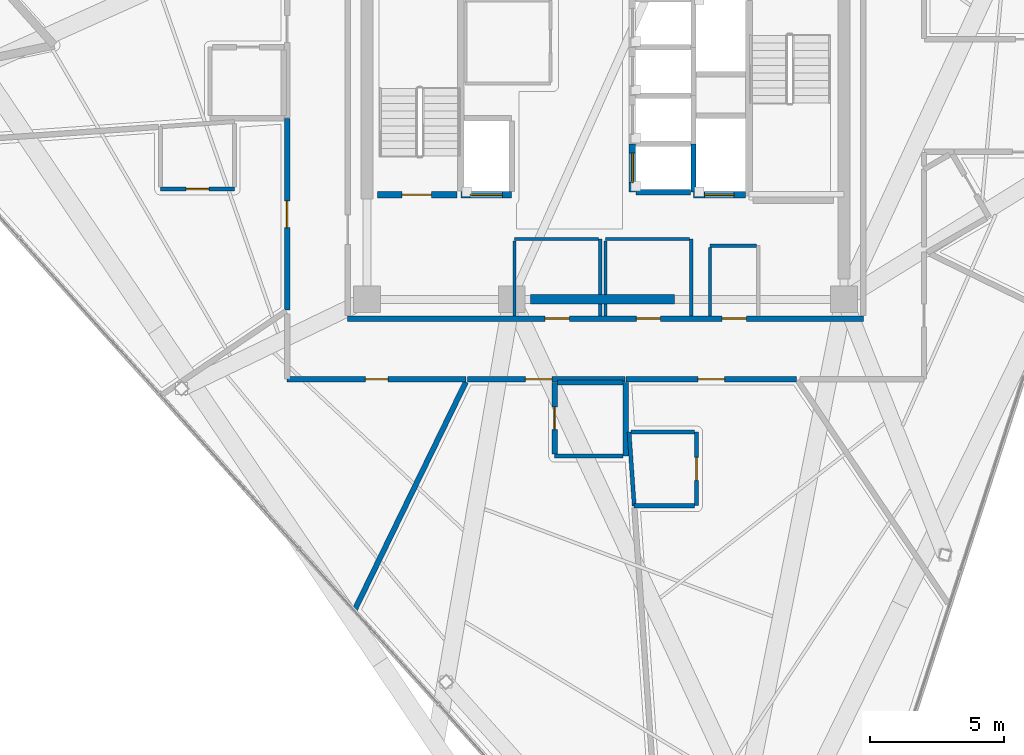
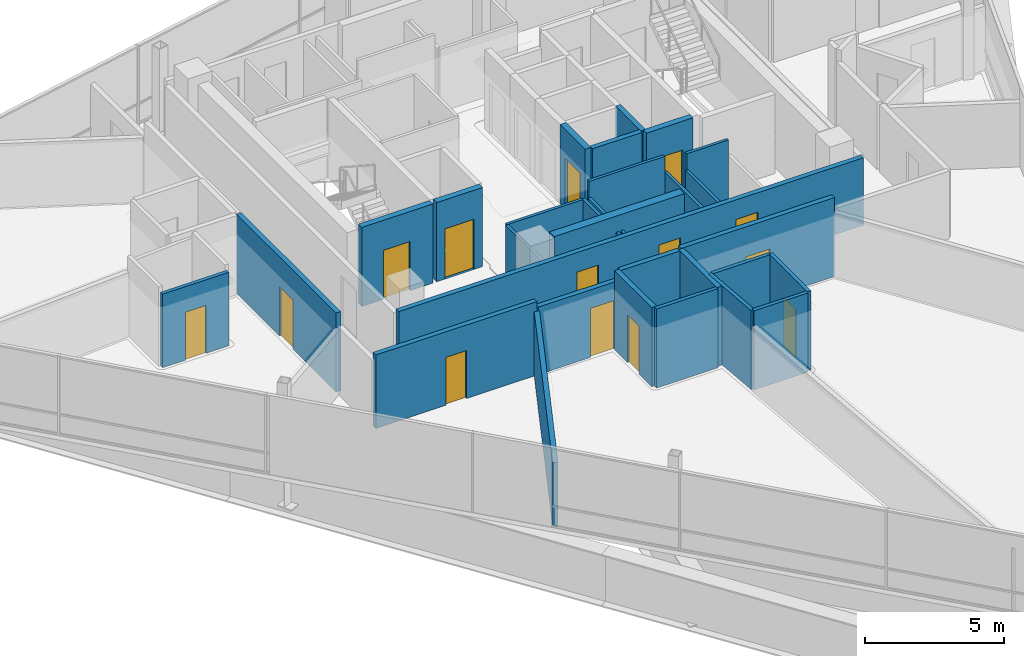
# One storey, part 10 of 18: 32 walls, 14 doors, 14 openings.
"""IFC4 building model written with IfcOpenShell, lengths in metres."""

from ifc_helpers import new_model, si_unit, direction, frame, frame_2d, origin, place, context, subcontext, project, spatial, rectangle, extrude, material, layer, layer_set, type_object, element, fill, save


model = new_model("IFC4")

# Units and contexts
model_context = context("Model", 3, precision=1e-05, world=origin(), true_north=direction((0.0, 1.0)))
body_context = subcontext(model_context, "Body", "Model", "MODEL_VIEW")
ifc_project = project(units=[si_unit("LENGTHUNIT", "METRE"), si_unit("AREAUNIT", "SQUARE_METRE"), si_unit("VOLUMEUNIT", "CUBIC_METRE"), si_unit("PLANEANGLEUNIT", "RADIAN"), si_unit("MASSUNIT", "GRAM", prefix="KILO")], contexts=[model_context])

# Site, building, storey
site_placement = place(None, origin())
site = spatial("IfcSite", under=ifc_project, at=site_placement, CompositionType="ELEMENT")
building_placement = place(site_placement, origin())
building = spatial("IfcBuilding", under=site, at=building_placement, Name="Tharavind Bronze Gate", CompositionType="ELEMENT")
storey_placement = place(building_placement, frame((0.0, 0.0, 279.75)))
storey = spatial("IfcBuildingStorey", under=building, at=storey_placement, Name="L72", CompositionType="ELEMENT", Elevation=279.75)

# Wall, openings, doors
ifc_material_1 = material(Name="Aerated Concrete Block", Category="concrete")
ifc_layer_1 = layer(ifc_material_1, 0.199951171875)
ifc_layer_set_1 = layer_set([ifc_layer_1], Name="Aerated Concrete Block")
wall_type_1 = type_object("IfcWallType", Name="FIRE RATED PARTITION 200", PredefinedType="PARTITIONING", material=ifc_layer_set_1)
wall_1_placement = place(storey_placement, frame((-9.6201171875, -8.320068359375, 0.0), z_axis=(0.0, 0.0, 1.0), x_axis=(1.0, 0.0, 0.0)))
wall_1 = element("IfcWall", 1, at=wall_1_placement, inside=storey, type_object=wall_type_1, Name="L72 south core corridor wall", PredefinedType="PARTITIONING", context=body_context, shape_type="SweptSolid", body=[
    extrude(rectangle(XDim=19.240234375, YDim=0.199951171875, at=frame_2d((9.6201171875, 0.0))), origin(), (0.0, 0.0, 1.0), 2.9599609375),
])
opening_1_placement = place(wall_1_placement, frame((7.3701171875, 0.0, 0.0)))
opening_1 = element("IfcOpeningElement", 2, at=opening_1_placement, cuts=wall_1, Name="Opening ID07", PredefinedType="OPENING", context=body_context, shape_type="SweptSolid", body=[
    extrude(rectangle(XDim=0.89990234375, YDim=2.10009765625, at=frame_2d((0.449951171875, 1.050048828125))), frame((0.0, 0.11009765625, 0.0), z_axis=(0.0, -1.0, 0.0), x_axis=(1.0, 0.0, 0.0)), (0.0, 0.0, 1.0), 0.219951171875),
])
opening_2_placement = place(wall_1_placement, frame((10.77001953125, 0.0, 0.0)))
opening_2 = element("IfcOpeningElement", 3, at=opening_2_placement, cuts=wall_1, Name="Opening ID07", PredefinedType="OPENING", context=body_context, shape_type="SweptSolid", body=[
    extrude(rectangle(XDim=0.89990234375, YDim=2.10009765625, at=frame_2d((0.449951171875, 1.050048828125))), frame((0.0, 0.11009765625, 0.0), z_axis=(0.0, -1.0, 0.0), x_axis=(1.0, 0.0, 0.0)), (0.0, 0.0, 1.0), 0.219951171875),
])
opening_3_placement = place(wall_1_placement, frame((13.969970703125, 0.0, 0.0)))
opening_3 = element("IfcOpeningElement", 4, at=opening_3_placement, cuts=wall_1, Name="Opening ID07", PredefinedType="OPENING", context=body_context, shape_type="SweptSolid", body=[
    extrude(rectangle(XDim=0.89990234375, YDim=2.10009765625, at=frame_2d((0.449951171875, 1.050048828125))), frame((0.0, 0.11009765625, 0.0), z_axis=(0.0, -1.0, 0.0), x_axis=(1.0, 0.0, 0.0)), (0.0, 0.0, 1.0), 0.219951171875),
])
ifc_material_2 = material(Name="Galvanised Fire Steel", Category="steel")
door_type_1 = type_object("IfcDoorType", Name="PLANT AND RISER FIRE DOOR 900X2100", OperationType="SINGLE_SWING_LEFT", PredefinedType="DOOR", material=ifc_material_2)
door_1_placement = place(opening_1_placement, frame((0.89990234375, 0.0, 0.0), z_axis=(0.0, 0.0, 1.0), x_axis=(-1.0, 0.0, 0.0)))
door_1 = element("IfcDoor", 5, at=door_1_placement, inside=storey, type_object=door_type_1, Name="L72 Core Archive Store fire door", OperationType="SINGLE_SWING_LEFT", OverallHeight=2.10009765625, OverallWidth=0.89990234375, PredefinedType="DOOR", context=body_context, shape_type="SweptSolid", body=[
    extrude(rectangle(XDim=0.89990234375, YDim=2.10009765625, at=frame_2d((0.449951171875, 1.050048828125))), frame((0.0, 0.02490234375, 0.0), z_axis=(0.0, -1.0, 0.0), x_axis=(1.0, 0.0, 0.0)), (0.0, 0.0, 1.0), 0.050048828125),
])
fill(opening_1, door_1)
door_2_placement = place(opening_2_placement, frame((0.89990234375, 0.0, 0.0), z_axis=(0.0, 0.0, 1.0), x_axis=(-1.0, 0.0, 0.0)))
door_2 = element("IfcDoor", 6, at=door_2_placement, inside=storey, type_object=door_type_1, Name="L72 Core Server Room fire door", OperationType="SINGLE_SWING_LEFT", OverallHeight=2.10009765625, OverallWidth=0.89990234375, PredefinedType="DOOR", context=body_context, shape_type="SweptSolid", body=[
    extrude(rectangle(XDim=0.89990234375, YDim=2.10009765625, at=frame_2d((0.449951171875, 1.050048828125))), frame((0.0, 0.02490234375, 0.0), z_axis=(0.0, -1.0, 0.0), x_axis=(1.0, 0.0, 0.0)), (0.0, 0.0, 1.0), 0.050048828125),
])
fill(opening_2, door_2)
door_3_placement = place(opening_3_placement, frame((0.89990234375, 0.0, 0.0), z_axis=(0.0, 0.0, 1.0), x_axis=(-1.0, 0.0, 0.0)))
door_3 = element("IfcDoor", 7, at=door_3_placement, inside=storey, type_object=door_type_1, Name="L72 Janitor Store Cupboard fire door", OperationType="SINGLE_SWING_LEFT", OverallHeight=2.10009765625, OverallWidth=0.89990234375, PredefinedType="DOOR", context=body_context, shape_type="SweptSolid", body=[
    extrude(rectangle(XDim=0.89990234375, YDim=2.10009765625, at=frame_2d((0.449951171875, 1.050048828125))), frame((0.0, 0.02490234375, 0.0), z_axis=(0.0, -1.0, 0.0), x_axis=(1.0, 0.0, 0.0)), (0.0, 0.0, 1.0), 0.050048828125),
])
fill(opening_3, door_3)

# Wall
wall_2_placement = place(storey_placement, frame((0.748291015625, -10.699951171875, 0.0), z_axis=(0.0, 0.0, 1.0), x_axis=(0.0, -1.0, 0.0)))
element("IfcWall", 8, at=wall_2_placement, inside=storey, type_object=wall_type_1, Name="L72 En-Suite Bathroom partition", PredefinedType="PARTITIONING", context=body_context, shape_type="SweptSolid", body=[
    extrude(rectangle(XDim=2.75, YDim=0.199951171875, at=frame_2d((1.375, 0.0))), origin(), (0.0, 0.0, 1.0), 3.465087890625),
])

# Wall, opening, door
wall_3_placement = place(storey_placement, frame((-1.90185546875, -13.3701171875, 0.0), z_axis=(0.0, 0.0, 1.0), x_axis=(0.0, 1.0, 0.0)))
wall_3 = element("IfcWall", 9, at=wall_3_placement, inside=storey, type_object=wall_type_1, Name="L72 En-Suite Bathroom partition", PredefinedType="PARTITIONING", context=body_context, shape_type="SweptSolid", body=[
    extrude(rectangle(XDim=2.670166015625, YDim=0.199951171875, at=frame_2d((1.3349609375, 0.0))), origin(), (0.0, 0.0, 1.0), 3.465087890625),
])
opening_4_placement = place(wall_3_placement, frame((0.909912109375, 0.0, 0.0)))
opening_4 = element("IfcOpeningElement", 10, at=opening_4_placement, cuts=wall_3, Name="Opening ID06", PredefinedType="OPENING", context=body_context, shape_type="SweptSolid", body=[
    extrude(rectangle(XDim=0.85009765625, YDim=2.10009765625, at=frame_2d((0.425048828125, 1.050048828125))), frame((0.0, 0.11009765625, 0.0), z_axis=(0.0, -1.0, 0.0), x_axis=(1.0, 0.0, 0.0)), (0.0, 0.0, 1.0), 0.219951171875),
])
ifc_material_3 = material(Name="Moisture-Resistant Timber", Category="wood")
door_type_2 = type_object("IfcDoorType", Name="BATHROOM PRIVACY DOOR 850X2100", OperationType="SINGLE_SWING_RIGHT", PredefinedType="DOOR", material=ifc_material_3)
door_4_placement = place(opening_4_placement, origin())
door_4 = element("IfcDoor", 11, at=door_4_placement, inside=storey, type_object=door_type_2, Name="L72 En-Suite Bathroom door", OperationType="SINGLE_SWING_RIGHT", OverallHeight=2.10009765625, OverallWidth=0.85009765625, PredefinedType="DOOR", context=body_context, shape_type="SweptSolid", body=[
    extrude(rectangle(XDim=0.85009765625, YDim=2.10009765625, at=frame_2d((0.425048828125, 1.050048828125))), frame((0.0, 0.02490234375, 0.0), z_axis=(0.0, -1.0, 0.0), x_axis=(1.0, 0.0, 0.0)), (0.0, 0.0, 1.0), 0.050048828125),
])
fill(opening_4, door_4)

# Wall
wall_4_placement = place(storey_placement, frame((-1.796875, -10.699951171875, 0.0), z_axis=(0.0, 0.0, 1.0), x_axis=(1.0, 0.0, 0.0)))
element("IfcWall", 12, at=wall_4_placement, inside=storey, type_object=wall_type_1, Name="L72 En-Suite Bathroom partition", PredefinedType="PARTITIONING", context=body_context, shape_type="SweptSolid", body=[
    extrude(rectangle(XDim=2.440185546875, YDim=0.199951171875, at=frame_2d((1.22021484375, 0.0))), origin(), (0.0, 0.0, 1.0), 3.465087890625),
])

# Wall, opening, door
wall_5_placement = place(storey_placement, frame((-11.87939453125, -10.580078125, 0.0), z_axis=(0.0, 0.0, 1.0), x_axis=(1.0, 0.0, 0.0)))
wall_5 = element("IfcWall", 13, at=wall_5_placement, inside=storey, type_object=wall_type_1, Name="L72 Public Restrooms Block partition", PredefinedType="PARTITIONING", context=body_context, shape_type="SweptSolid", body=[
    extrude(rectangle(XDim=6.67919921875, YDim=0.199951171875, at=frame_2d((3.339599609375, 0.0))), origin(), (0.0, 0.0, 1.0), 3.219970703125),
])
opening_5_placement = place(wall_5_placement, frame((2.9150390625, 0.0, 0.0)))
opening_5 = element("IfcOpeningElement", 14, at=opening_5_placement, cuts=wall_5, Name="Opening ID06", PredefinedType="OPENING", context=body_context, shape_type="SweptSolid", body=[
    extrude(rectangle(XDim=0.85009765625, YDim=2.10009765625, at=frame_2d((0.425048828125, 1.050048828125))), frame((0.0, 0.11009765625, 0.0), z_axis=(0.0, -1.0, 0.0), x_axis=(1.0, 0.0, 0.0)), (0.0, 0.0, 1.0), 0.219951171875),
])
door_5_placement = place(opening_5_placement, origin())
door_5 = element("IfcDoor", 15, at=door_5_placement, inside=storey, type_object=door_type_2, Name="L72 Public Restrooms Block door", OperationType="SINGLE_SWING_RIGHT", OverallHeight=2.10009765625, OverallWidth=0.85009765625, PredefinedType="DOOR", context=body_context, shape_type="SweptSolid", body=[
    extrude(rectangle(XDim=0.85009765625, YDim=2.10009765625, at=frame_2d((0.425048828125, 1.050048828125))), frame((0.0, 0.02490234375, 0.0), z_axis=(0.0, -1.0, 0.0), x_axis=(1.0, 0.0, 0.0)), (0.0, 0.0, 1.0), 0.050048828125),
])
fill(opening_5, door_5)

# Wall
wall_6_placement = place(storey_placement, frame((-5.21142578125, -10.68505859375, 0.0), z_axis=(0.0, 0.0, 1.0), x_axis=(-0.438373396373, -0.8987929491, 0.0)))
element("IfcWall", 16, at=wall_6_placement, inside=storey, type_object=wall_type_1, Name="L72 Public Restrooms Block partition", PredefinedType="PARTITIONING", context=body_context, shape_type="SweptSolid", body=[
    extrude(rectangle(XDim=9.4794921875, YDim=0.199951171875, at=frame_2d((4.73974609375, 0.0))), origin(), (0.0, 0.0, 1.0), 2.81005859375),
])

# Wall, opening, door
wall_7_placement = place(storey_placement, frame((-11.8798828125, -0.857421875, 0.0), z_axis=(0.0, 0.0, 1.0), x_axis=(0.0, -1.0, 0.0)))
wall_7 = element("IfcWall", 17, at=wall_7_placement, inside=storey, type_object=wall_type_1, Name="L72 Deluxe Hotel Suite partition", PredefinedType="PARTITIONING", context=body_context, shape_type="SweptSolid", body=[
    extrude(rectangle(XDim=7.142578125, YDim=0.199951171875, at=frame_2d((3.5712890625, 0.0))), origin(), (0.0, 0.0, 1.0), 3.465087890625),
])
opening_6_placement = place(wall_7_placement, frame((3.071044921875, 0.0, 0.0)))
opening_6 = element("IfcOpeningElement", 18, at=opening_6_placement, cuts=wall_7, Name="Opening ID03", PredefinedType="OPENING", context=body_context, shape_type="SweptSolid", body=[
    extrude(rectangle(XDim=1.0, YDim=2.14990234375, at=frame_2d((0.5, 1.074951171875))), frame((0.0, 0.11009765625, 0.0), z_axis=(0.0, -1.0, 0.0), x_axis=(1.0, 0.0, 0.0)), (0.0, 0.0, 1.0), 0.219951171875),
])
ifc_material_4 = material(Name="Solid Timber Veneer", Category="wood")
door_type_3 = type_object("IfcDoorType", Name="HOTEL SUITE ENTRANCE DOOR 1000X2150", OperationType="SINGLE_SWING_LEFT", PredefinedType="DOOR", material=ifc_material_4)
door_6_placement = place(opening_6_placement, origin())
door_6 = element("IfcDoor", 19, at=door_6_placement, inside=storey, type_object=door_type_3, Name="L72 Deluxe Hotel Suite door", OperationType="SINGLE_SWING_LEFT", OverallHeight=2.14990234375, OverallWidth=1.0, PredefinedType="DOOR", context=body_context, shape_type="SweptSolid", body=[
    extrude(rectangle(XDim=1.0, YDim=2.14990234375, at=frame_2d((0.5, 1.074951171875))), frame((0.0, 0.02490234375, 0.0), z_axis=(0.0, -1.0, 0.0), x_axis=(1.0, 0.0, 0.0)), (0.0, 0.0, 1.0), 0.050048828125),
])
fill(opening_6, door_6)

wall_8_placement = place(storey_placement, frame((-5.14453125, -10.580078125, 0.0), z_axis=(0.0, 0.0, 1.0), x_axis=(1.0, 0.0, 0.0)))
wall_8 = element("IfcWall", 20, at=wall_8_placement, inside=storey, type_object=wall_type_1, Name="L72 Deluxe Hotel Suite partition", PredefinedType="PARTITIONING", context=body_context, shape_type="SweptSolid", body=[
    extrude(rectangle(XDim=5.861083984375, YDim=0.199951171875, at=frame_2d((2.9306640625, 0.0))), origin(), (0.0, 0.0, 1.0), 2.9599609375),
])
opening_7_placement = place(wall_8_placement, frame((2.15087890625, 0.0, 0.0)))
opening_7 = element("IfcOpeningElement", 21, at=opening_7_placement, cuts=wall_8, Name="Opening ID03", PredefinedType="OPENING", context=body_context, shape_type="SweptSolid", body=[
    extrude(rectangle(XDim=1.0, YDim=2.14990234375, at=frame_2d((0.5, 1.074951171875))), frame((0.0, 0.11009765625, 0.0), z_axis=(0.0, -1.0, 0.0), x_axis=(1.0, 0.0, 0.0)), (0.0, 0.0, 1.0), 0.219951171875),
])
door_7_placement = place(opening_7_placement, origin())
door_7 = element("IfcDoor", 22, at=door_7_placement, inside=storey, type_object=door_type_3, Name="L72 Deluxe Hotel Suite door", OperationType="SINGLE_SWING_LEFT", OverallHeight=2.14990234375, OverallWidth=1.0, PredefinedType="DOOR", context=body_context, shape_type="SweptSolid", body=[
    extrude(rectangle(XDim=1.0, YDim=2.14990234375, at=frame_2d((0.5, 1.074951171875))), frame((0.0, 0.02490234375, 0.0), z_axis=(0.0, -1.0, 0.0), x_axis=(1.0, 0.0, 0.0)), (0.0, 0.0, 1.0), 0.050048828125),
])
fill(opening_7, door_7)

wall_9_placement = place(storey_placement, frame((0.7666015625, -10.580078125, 0.0), z_axis=(0.0, 0.0, 1.0), x_axis=(1.0, 0.0, 0.0)))
wall_9 = element("IfcWall", 23, at=wall_9_placement, inside=storey, type_object=wall_type_1, Name="L72 Deluxe Hotel Suite partition", PredefinedType="PARTITIONING", context=body_context, shape_type="SweptSolid", body=[
    extrude(rectangle(XDim=6.3564453125, YDim=0.199951171875, at=frame_2d((3.17822265625, 0.0))), origin(), (0.0, 0.0, 1.0), 3.465087890625),
])
opening_8_placement = place(wall_9_placement, frame((2.677978515625, 0.0, 0.0)))
opening_8 = element("IfcOpeningElement", 24, at=opening_8_placement, cuts=wall_9, Name="Opening ID03", PredefinedType="OPENING", context=body_context, shape_type="SweptSolid", body=[
    extrude(rectangle(XDim=1.0, YDim=2.14990234375, at=frame_2d((0.5, 1.074951171875))), frame((0.0, 0.11009765625, 0.0), z_axis=(0.0, -1.0, 0.0), x_axis=(1.0, 0.0, 0.0)), (0.0, 0.0, 1.0), 0.219951171875),
])
door_8_placement = place(opening_8_placement, origin())
door_8 = element("IfcDoor", 25, at=door_8_placement, inside=storey, type_object=door_type_3, Name="L72 Deluxe Hotel Suite door", OperationType="SINGLE_SWING_LEFT", OverallHeight=2.14990234375, OverallWidth=1.0, PredefinedType="DOOR", context=body_context, shape_type="SweptSolid", body=[
    extrude(rectangle(XDim=1.0, YDim=2.14990234375, at=frame_2d((0.5, 1.074951171875))), frame((0.0, 0.02490234375, 0.0), z_axis=(0.0, -1.0, 0.0), x_axis=(1.0, 0.0, 0.0)), (0.0, 0.0, 1.0), 0.050048828125),
])
fill(opening_8, door_8)

# Walls
ifc_material_5 = material(Name="Metal Stud Gypsum Partition", Category="gypsum")
ifc_layer_2 = layer(ifc_material_5, 0.1201171875)
ifc_layer_set_2 = layer_set([ifc_layer_2], Name="Metal Stud Gypsum Partition")
wall_type_2 = type_object("IfcWallType", Name="INTERIOR PARTITION WALL 120", PredefinedType="PARTITIONING", material=ifc_layer_set_2)
wall_10_placement = place(storey_placement, frame((-0.199951171875, -8.215087890625, 0.0), z_axis=(0.0, 0.0, 1.0), x_axis=(0.0, 1.0, 0.0)))
element("IfcWall", 26, at=wall_10_placement, inside=storey, type_object=wall_type_2, Name="L72 Core Archive Store partition 2", PredefinedType="PARTITIONING", context=body_context, shape_type="SweptSolid", body=[
    extrude(rectangle(XDim=0.43505859375, YDim=0.1201171875, at=frame_2d((0.217529296875, 0.0))), origin(), (0.0, 0.0, 1.0), 2.760009765625),
])
wall_11_placement = place(storey_placement, frame((-0.199951171875, -7.419921875, 0.0), z_axis=(0.0, 0.0, 1.0), x_axis=(0.0, 1.0, 0.0)))
element("IfcWall", 27, at=wall_11_placement, inside=storey, type_object=wall_type_2, Name="L72 Core Archive Store partition 2", PredefinedType="PARTITIONING", context=body_context, shape_type="SweptSolid", body=[
    extrude(rectangle(XDim=2.06982421875, YDim=0.1201171875, at=frame_2d((1.034912109375, 0.0))), origin(), (0.0, 0.0, 1.0), 2.760009765625),
])
wall_12_placement = place(storey_placement, frame((-0.264892578125, -5.35009765625, 0.0), z_axis=(0.0, 0.0, 1.0), x_axis=(-1.0, 0.0, 0.0)))
element("IfcWall", 28, at=wall_12_placement, inside=storey, type_object=wall_type_2, Name="L72 Core Archive Store partition 3", PredefinedType="PARTITIONING", context=body_context, shape_type="SweptSolid", body=[
    extrude(rectangle(XDim=3.135009765625, YDim=0.1201171875, at=frame_2d((1.5673828125, 0.0))), origin(), (0.0, 0.0, 1.0), 2.760009765625),
])
wall_13_placement = place(storey_placement, frame((-3.39990234375, -5.4150390625, 0.0), z_axis=(0.0, 0.0, 1.0), x_axis=(0.0, -1.0, 0.0)))
element("IfcWall", 29, at=wall_13_placement, inside=storey, type_object=wall_type_2, Name="L72 Core Archive Store partition 4", PredefinedType="PARTITIONING", context=body_context, shape_type="SweptSolid", body=[
    extrude(rectangle(XDim=2.800048828125, YDim=0.1201171875, at=frame_2d((1.39990234375, 0.0))), origin(), (0.0, 0.0, 1.0), 2.760009765625),
])
wall_14_placement = place(storey_placement, frame((3.199951171875, -8.215087890625, 0.0), z_axis=(0.0, 0.0, 1.0), x_axis=(0.0, 1.0, 0.0)))
element("IfcWall", 30, at=wall_14_placement, inside=storey, type_object=wall_type_2, Name="L72 Core Server Room partition 2", PredefinedType="PARTITIONING", context=body_context, shape_type="SweptSolid", body=[
    extrude(rectangle(XDim=2.864990234375, YDim=0.1201171875, at=frame_2d((1.4326171875, 0.0))), origin(), (0.0, 0.0, 1.0), 2.760009765625),
])
wall_15_placement = place(storey_placement, frame((3.135009765625, -5.35009765625, 0.0), z_axis=(0.0, 0.0, 1.0), x_axis=(-1.0, 0.0, 0.0)))
element("IfcWall", 31, at=wall_15_placement, inside=storey, type_object=wall_type_2, Name="L72 Core Server Room partition 3", PredefinedType="PARTITIONING", context=body_context, shape_type="SweptSolid", body=[
    extrude(rectangle(XDim=3.135009765625, YDim=0.1201171875, at=frame_2d((1.5673828125, 0.0))), origin(), (0.0, 0.0, 1.0), 3.465087890625),
])
wall_16_placement = place(storey_placement, frame((0.0, -5.4150390625, 0.0), z_axis=(0.0, 0.0, 1.0), x_axis=(0.0, -1.0, 0.0)))
element("IfcWall", 32, at=wall_16_placement, inside=storey, type_object=wall_type_2, Name="L72 Core Server Room partition 4", PredefinedType="PARTITIONING", context=body_context, shape_type="SweptSolid", body=[
    extrude(rectangle(XDim=2.0048828125, YDim=0.1201171875, at=frame_2d((1.00244140625, 0.0))), origin(), (0.0, 0.0, 1.0), 2.760009765625),
])
wall_17_placement = place(storey_placement, frame((0.0, -7.780029296875, 0.0), z_axis=(0.0, 0.0, 1.0), x_axis=(0.0, -1.0, 0.0)))
element("IfcWall", 33, at=wall_17_placement, inside=storey, type_object=wall_type_2, Name="L72 Core Server Room partition 4", PredefinedType="PARTITIONING", context=body_context, shape_type="SweptSolid", body=[
    extrude(rectangle(XDim=0.43505859375, YDim=0.1201171875, at=frame_2d((0.217529296875, 0.0))), origin(), (0.0, 0.0, 1.0), 2.760009765625),
])
wall_18_placement = place(storey_placement, frame((5.635009765625, -5.60009765625, 0.0), z_axis=(0.0, 0.0, 1.0), x_axis=(-1.0, 0.0, 0.0)))
element("IfcWall", 34, at=wall_18_placement, inside=storey, type_object=wall_type_2, Name="L72 Janitor Store Cupboard partition 3", PredefinedType="PARTITIONING", context=body_context, shape_type="SweptSolid", body=[
    extrude(rectangle(XDim=1.735107421875, YDim=0.1201171875, at=frame_2d((0.86767578125, 0.0))), origin(), (0.0, 0.0, 1.0), 3.465087890625),
])
wall_19_placement = place(storey_placement, frame((3.89990234375, -5.6650390625, 0.0), z_axis=(0.0, 0.0, 1.0), x_axis=(0.0, -1.0, 0.0)))
element("IfcWall", 35, at=wall_19_placement, inside=storey, type_object=wall_type_2, Name="L72 Janitor Store Cupboard partition 4", PredefinedType="PARTITIONING", context=body_context, shape_type="SweptSolid", body=[
    extrude(rectangle(XDim=2.550048828125, YDim=0.1201171875, at=frame_2d((1.27490234375, 0.0))), origin(), (0.0, 0.0, 1.0), 2.760009765625),
])

# Wall, opening, door
ifc_material_6 = material(Name="Twin Stud Acoustic Gypsum", Category="gypsum")
ifc_layer_3 = layer(ifc_material_6, 0.14990234375)
ifc_layer_set_3 = layer_set([ifc_layer_3], Name="Twin Stud Acoustic Gypsum")
wall_type_3 = type_object("IfcWallType", Name="INTERIOR PARTITION WALL 150", PredefinedType="PARTITIONING", material=ifc_layer_set_3)
wall_20_placement = place(storey_placement, frame((-13.85009765625, -3.489013671875, 0.0), z_axis=(0.0, 0.0, 1.0), x_axis=(-1.0, 0.0, 0.0)))
wall_20 = element("IfcWall", 36, at=wall_20_placement, inside=storey, type_object=wall_type_3, Name="L72 En-Suite Bathroom partition", PredefinedType="PARTITIONING", context=body_context, shape_type="SweptSolid", body=[
    extrude(rectangle(XDim=2.75, YDim=0.14990234375, at=frame_2d((1.375, 0.0))), origin(), (0.0, 0.0, 1.0), 3.219970703125),
])
opening_9_placement = place(wall_20_placement, frame((0.949951171875, 0.0, 0.0)))
opening_9 = element("IfcOpeningElement", 37, at=opening_9_placement, cuts=wall_20, Name="Opening ID06", PredefinedType="OPENING", context=body_context, shape_type="SweptSolid", body=[
    extrude(rectangle(XDim=0.85009765625, YDim=2.10009765625, at=frame_2d((0.425048828125, 1.050048828125))), frame((0.0, 0.084951171875, 0.0), z_axis=(0.0, -1.0, 0.0), x_axis=(1.0, 0.0, 0.0)), (0.0, 0.0, 1.0), 0.16990234375),
])
door_9_placement = place(opening_9_placement, origin())
door_9 = element("IfcDoor", 38, at=door_9_placement, inside=storey, type_object=door_type_2, Name="L72 En-Suite Bathroom door", OperationType="SINGLE_SWING_RIGHT", OverallHeight=2.10009765625, OverallWidth=0.85009765625, PredefinedType="DOOR", context=body_context, shape_type="SweptSolid", body=[
    extrude(rectangle(XDim=0.85009765625, YDim=2.10009765625, at=frame_2d((0.425048828125, 1.050048828125))), frame((0.0, 0.02490234375, 0.0), z_axis=(0.0, -1.0, 0.0), x_axis=(1.0, 0.0, 0.0)), (0.0, 0.0, 1.0), 0.050048828125),
])
fill(opening_9, door_9)

# Wall
wall_21_placement = place(storey_placement, frame((0.643310546875, -13.449951171875, 0.0), z_axis=(0.0, 0.0, 1.0), x_axis=(-1.0, 0.0, 0.0)))
element("IfcWall", 39, at=wall_21_placement, inside=storey, type_object=wall_type_3, Name="L72 En-Suite Bathroom partition", PredefinedType="PARTITIONING", context=body_context, shape_type="SweptSolid", body=[
    extrude(rectangle(XDim=2.545166015625, YDim=0.14990234375, at=frame_2d((1.2724609375, 0.0))), origin(), (0.0, 0.0, 1.0), 3.465087890625),
])

# Wall, opening, door
wall_22_placement = place(storey_placement, frame((3.398193359375, -12.550048828125, 0.0), z_axis=(0.0, 0.0, 1.0), x_axis=(0.0, -1.0, 0.0)))
wall_22 = element("IfcWall", 40, at=wall_22_placement, inside=storey, type_object=wall_type_3, Name="L72 En-Suite Bathroom partition", PredefinedType="PARTITIONING", context=body_context, shape_type="SweptSolid", body=[
    extrude(rectangle(XDim=2.75, YDim=0.14990234375, at=frame_2d((1.375, 0.0))), origin(), (0.0, 0.0, 1.0), 3.465087890625),
])
opening_10_placement = place(wall_22_placement, frame((0.949951171875, 0.0, 0.0)))
opening_10 = element("IfcOpeningElement", 41, at=opening_10_placement, cuts=wall_22, Name="Opening ID06", PredefinedType="OPENING", context=body_context, shape_type="SweptSolid", body=[
    extrude(rectangle(XDim=0.85009765625, YDim=2.10009765625, at=frame_2d((0.425048828125, 1.050048828125))), frame((0.0, 0.084951171875, 0.0), z_axis=(0.0, -1.0, 0.0), x_axis=(1.0, 0.0, 0.0)), (0.0, 0.0, 1.0), 0.16990234375),
])
door_10_placement = place(opening_10_placement, origin())
door_10 = element("IfcDoor", 42, at=door_10_placement, inside=storey, type_object=door_type_2, Name="L72 En-Suite Bathroom door", OperationType="SINGLE_SWING_RIGHT", OverallHeight=2.10009765625, OverallWidth=0.85009765625, PredefinedType="DOOR", context=body_context, shape_type="SweptSolid", body=[
    extrude(rectangle(XDim=0.85009765625, YDim=2.10009765625, at=frame_2d((0.425048828125, 1.050048828125))), frame((0.0, 0.02490234375, 0.0), z_axis=(0.0, -1.0, 0.0), x_axis=(1.0, 0.0, 0.0)), (0.0, 0.0, 1.0), 0.050048828125),
])
fill(opening_10, door_10)

# Walls
wall_23_placement = place(storey_placement, frame((3.318115234375, -15.300048828125, 0.0), z_axis=(0.0, 0.0, 1.0), x_axis=(-1.0, 0.0, 0.0)))
element("IfcWall", 43, at=wall_23_placement, inside=storey, type_object=wall_type_3, Name="L72 En-Suite Bathroom partition", PredefinedType="PARTITIONING", context=body_context, shape_type="SweptSolid", body=[
    extrude(rectangle(XDim=2.248291015625, YDim=0.14990234375, at=frame_2d((1.1240234375, 0.0))), origin(), (0.0, 0.0, 1.0), 3.465087890625),
])
wall_24_placement = place(storey_placement, frame((1.06982421875, -15.300048828125, 0.0), z_axis=(0.0, 0.0, 1.0), x_axis=(-0.069698693715, 0.997568088952, 0.0)))
element("IfcWall", 44, at=wall_24_placement, inside=storey, type_object=wall_type_3, Name="L72 En-Suite Bathroom partition", PredefinedType="PARTITIONING", context=body_context, shape_type="SweptSolid", body=[
    extrude(rectangle(XDim=2.756591796875, YDim=0.14990234375, at=frame_2d((1.37841796875, 0.0))), origin(), (0.0, 0.0, 1.0), 3.465087890625),
])
wall_25_placement = place(storey_placement, frame((0.957763671875, -12.550048828125, 0.0), z_axis=(0.0, 0.0, 1.0), x_axis=(1.0, 0.0, 0.0)))
element("IfcWall", 45, at=wall_25_placement, inside=storey, type_object=wall_type_3, Name="L72 En-Suite Bathroom partition", PredefinedType="PARTITIONING", context=body_context, shape_type="SweptSolid", body=[
    extrude(rectangle(XDim=2.3603515625, YDim=0.14990234375, at=frame_2d((1.18017578125, 0.0))), origin(), (0.0, 0.0, 1.0), 3.465087890625),
])

# Wall, opening, door
ifc_material_7 = material(Name="Concrete C50/60", Category="concrete")
ifc_layer_4 = layer(ifc_material_7, 0.25)
ifc_layer_set_4 = layer_set([ifc_layer_4], Name="Concrete C50/60")
wall_type_4 = type_object("IfcWallType", Name="RC CORE SHEAR WALL 250", PredefinedType="SHEAR", material=ifc_layer_set_4)
wall_26_placement = place(storey_placement, frame((-8.5, -3.699951171875, 0.0), z_axis=(0.0, 0.0, 1.0), x_axis=(1.0, 0.0, 0.0)))
wall_26 = element("IfcWall", 46, at=wall_26_placement, inside=storey, type_object=wall_type_4, Name="L72 ST1 shaft south wall", PredefinedType="SHEAR", context=body_context, shape_type="SweptSolid", body=[
    extrude(rectangle(XDim=2.949951171875, YDim=0.25, at=frame_2d((1.47509765625, 0.0))), origin(), (0.0, 0.0, 1.0), 3.465087890625),
])
opening_11_placement = place(wall_26_placement, frame((0.89990234375, 0.0, 0.0)))
opening_11 = element("IfcOpeningElement", 47, at=opening_11_placement, cuts=wall_26, Name="Opening ID01", PredefinedType="OPENING", context=body_context, shape_type="SweptSolid", body=[
    extrude(rectangle(XDim=1.10009765625, YDim=2.14990234375, at=frame_2d((0.550048828125, 1.074951171875))), frame((0.0, 0.135, 0.0), z_axis=(0.0, -1.0, 0.0), x_axis=(1.0, 0.0, 0.0)), (0.0, 0.0, 1.0), 0.27),
])
ifc_material_8 = material(Name="Fire-Rated Steel", Category="steel")
door_type_4 = type_object("IfcDoorType", Name="STAIR CORE FIRE DOOR 1100X2150", OperationType="SINGLE_SWING_LEFT", PredefinedType="DOOR", material=ifc_material_8)
door_11_placement = place(opening_11_placement, origin())
door_11 = element("IfcDoor", 48, at=door_11_placement, inside=storey, type_object=door_type_4, Name="L72 exit stair ST1 fire door", OperationType="SINGLE_SWING_LEFT", OverallHeight=2.14990234375, OverallWidth=1.10009765625, PredefinedType="DOOR", context=body_context, shape_type="SweptSolid", body=[
    extrude(rectangle(XDim=1.10009765625, YDim=2.14990234375, at=frame_2d((0.550048828125, 1.074951171875))), frame((0.0, 0.02490234375, 0.0), z_axis=(0.0, -1.0, 0.0), x_axis=(1.0, 0.0, 0.0)), (0.0, 0.0, 1.0), 0.050048828125),
])
fill(opening_11, door_11)

wall_27_placement = place(storey_placement, frame((1.0, -3.60009765625, 0.0), z_axis=(0.0, 0.0, 1.0), x_axis=(0.0, 1.0, 0.0)))
wall_27 = element("IfcWall", 49, at=wall_27_placement, inside=storey, type_object=wall_type_4, Name="L72 lift PL9 shaft front wall", PredefinedType="SHEAR", context=body_context, shape_type="SweptSolid", body=[
    extrude(rectangle(XDim=1.800048828125, YDim=0.25, at=frame_2d((0.89990234375, 0.0))), origin(), (0.0, 0.0, 1.0), 3.465087890625),
])
opening_12_placement = place(wall_27_placement, frame((0.35009765625, 0.0, 0.0)))
opening_12 = element("IfcOpeningElement", 50, at=opening_12_placement, cuts=wall_27, Name="Opening LD01", PredefinedType="OPENING", context=body_context, shape_type="SweptSolid", body=[
    extrude(rectangle(XDim=1.10009765625, YDim=2.199951171875, at=frame_2d((0.550048828125, 1.10009765625))), frame((0.0, 0.135, 0.0), z_axis=(0.0, -1.0, 0.0), x_axis=(1.0, 0.0, 0.0)), (0.0, 0.0, 1.0), 0.27),
])
ifc_material_9 = material(Name="Brushed Bronze Stainless Steel", Category="steel")
door_type_5 = type_object("IfcDoorType", Name="LIFT LANDING SLIDING DOOR 1100X2200", OperationType="SLIDING_TO_LEFT", PredefinedType="DOOR", material=ifc_material_9)
door_12_placement = place(opening_12_placement, origin())
door_12 = element("IfcDoor", 51, at=door_12_placement, inside=storey, type_object=door_type_5, Name="L72 lift PL9 sliding landing door", OperationType="SLIDING_TO_LEFT", OverallHeight=2.199951171875, OverallWidth=1.10009765625, PredefinedType="DOOR", context=body_context, shape_type="SweptSolid", body=[
    extrude(rectangle(XDim=1.10009765625, YDim=2.199951171875, at=frame_2d((0.550048828125, 1.10009765625))), frame((0.0, 0.02490234375, 0.0), z_axis=(0.0, -1.0, 0.0), x_axis=(1.0, 0.0, 0.0)), (0.0, 0.0, 1.0), 0.050048828125),
])
fill(opening_12, door_12)

wall_28_placement = place(storey_placement, frame((-5.39990234375, -3.699951171875, 0.0), z_axis=(0.0, 0.0, 1.0), x_axis=(1.0, 0.0, 0.0)))
wall_28 = element("IfcWall", 52, at=wall_28_placement, inside=storey, type_object=wall_type_4, Name="L72 lift FFL1 shaft front wall", PredefinedType="SHEAR", context=body_context, shape_type="SweptSolid", body=[
    extrude(rectangle(XDim=1.89990234375, YDim=0.25, at=frame_2d((0.949951171875, 0.0))), origin(), (0.0, 0.0, 1.0), 3.465087890625),
])
opening_13_placement = place(wall_28_placement, frame((0.35009765625, 0.0, 0.0)))
opening_13 = element("IfcOpeningElement", 53, at=opening_13_placement, cuts=wall_28, Name="Opening LD02", PredefinedType="OPENING", context=body_context, shape_type="SweptSolid", body=[
    extrude(rectangle(XDim=1.199951171875, YDim=2.199951171875, at=frame_2d((0.60009765625, 1.10009765625))), frame((0.0, 0.135, 0.0), z_axis=(0.0, -1.0, 0.0), x_axis=(1.0, 0.0, 0.0)), (0.0, 0.0, 1.0), 0.27),
])
ifc_material_10 = material(Name="Brushed Stainless Steel", Category="steel")
door_type_6 = type_object("IfcDoorType", Name="FIREFIGHTING LIFT LANDING DOOR 1200X2200", OperationType="SLIDING_TO_RIGHT", PredefinedType="DOOR", material=ifc_material_10)
door_13_placement = place(opening_13_placement, origin())
door_13 = element("IfcDoor", 54, at=door_13_placement, inside=storey, type_object=door_type_6, Name="L72 lift FFL1 sliding landing door", OperationType="SLIDING_TO_RIGHT", OverallHeight=2.199951171875, OverallWidth=1.199951171875, PredefinedType="DOOR", context=body_context, shape_type="SweptSolid", body=[
    extrude(rectangle(XDim=1.199951171875, YDim=2.199951171875, at=frame_2d((0.60009765625, 1.10009765625))), frame((0.0, 0.02490234375, 0.0), z_axis=(0.0, -1.0, 0.0), x_axis=(1.0, 0.0, 0.0)), (0.0, 0.0, 1.0), 0.050048828125),
])
fill(opening_13, door_13)

wall_29_placement = place(storey_placement, frame((3.280029296875, -3.699951171875, 0.0), z_axis=(0.0, 0.0, 1.0), x_axis=(1.0, 0.0, 0.0)))
wall_29 = element("IfcWall", 55, at=wall_29_placement, inside=storey, type_object=wall_type_4, Name="L72 lift SVL1 shaft front wall", PredefinedType="SHEAR", context=body_context, shape_type="SweptSolid", body=[
    extrude(rectangle(XDim=1.93994140625, YDim=0.25, at=frame_2d((0.969970703125, 0.0))), origin(), (0.0, 0.0, 1.0), 3.465087890625),
])
opening_14_placement = place(wall_29_placement, frame((0.419921875, 0.0, 0.0)))
opening_14 = element("IfcOpeningElement", 56, at=opening_14_placement, cuts=wall_29, Name="Opening LD01", PredefinedType="OPENING", context=body_context, shape_type="SweptSolid", body=[
    extrude(rectangle(XDim=1.10009765625, YDim=2.199951171875, at=frame_2d((0.550048828125, 1.10009765625))), frame((0.0, 0.135, 0.0), z_axis=(0.0, -1.0, 0.0), x_axis=(1.0, 0.0, 0.0)), (0.0, 0.0, 1.0), 0.27),
])
door_14_placement = place(opening_14_placement, origin())
door_14 = element("IfcDoor", 57, at=door_14_placement, inside=storey, type_object=door_type_5, Name="L72 lift SVL1 sliding landing door", OperationType="SLIDING_TO_LEFT", OverallHeight=2.199951171875, OverallWidth=1.10009765625, PredefinedType="DOOR", context=body_context, shape_type="SweptSolid", body=[
    extrude(rectangle(XDim=1.10009765625, YDim=2.199951171875, at=frame_2d((0.550048828125, 1.10009765625))), frame((0.0, 0.02490234375, 0.0), z_axis=(0.0, -1.0, 0.0), x_axis=(1.0, 0.0, 0.0)), (0.0, 0.0, 1.0), 0.050048828125),
])
fill(opening_14, door_14)

# Walls
ifc_layer_5 = layer(ifc_material_7, 0.35009765625)
ifc_layer_set_5 = layer_set([ifc_layer_5], Name="Concrete C50/60")
wall_type_5 = type_object("IfcWallType", Name="RC CORE SHEAR WALL 350", PredefinedType="SHEAR", material=ifc_layer_set_5)
wall_30_placement = place(storey_placement, frame((-2.800048828125, -7.60009765625, 0.0), z_axis=(0.0, 0.0, 1.0), x_axis=(1.0, 0.0, 0.0)))
element("IfcWall", 58, at=wall_30_placement, inside=storey, type_object=wall_type_5, Name="L72 south core shear wall", PredefinedType="SHEAR", context=body_context, shape_type="SweptSolid", body=[
    extrude(rectangle(XDim=5.380126953125, YDim=0.35009765625, at=frame_2d((2.68994140625, 0.0))), origin(), (0.0, 0.0, 1.0), 3.465087890625),
])
ifc_material_11 = material(Name="Concrete C40/50", Category="concrete")
ifc_layer_6 = layer(ifc_material_11, 0.199951171875)
ifc_layer_set_6 = layer_set([ifc_layer_6], Name="Concrete C40/50")
wall_type_6 = type_object("IfcWallType", Name="SHAFT ENCLOSURE WALL 200", PredefinedType="PARTITIONING", material=ifc_layer_set_6)
wall_31_placement = place(storey_placement, frame((3.280029296875, -3.60009765625, 0.0), z_axis=(0.0, 0.0, 1.0), x_axis=(0.0, 1.0, 0.0)))
element("IfcWall", 59, at=wall_31_placement, inside=storey, type_object=wall_type_6, Name="L72 lift PL9 shaft E enclosure wall", PredefinedType="PARTITIONING", context=body_context, shape_type="SweptSolid", body=[
    extrude(rectangle(XDim=1.800048828125, YDim=0.199951171875, at=frame_2d((0.89990234375, 0.0))), origin(), (0.0, 0.0, 1.0), 3.465087890625),
])
wall_32_placement = place(storey_placement, frame((1.1298828125, -3.60009765625, 0.0), z_axis=(0.0, 0.0, 1.0), x_axis=(1.0, 0.0, 0.0)))
element("IfcWall", 60, at=wall_32_placement, inside=storey, type_object=wall_type_6, Name="L72 lift PL9 shaft S enclosure wall", PredefinedType="PARTITIONING", context=body_context, shape_type="SweptSolid", body=[
    extrude(rectangle(XDim=2.045166015625, YDim=0.199951171875, at=frame_2d((1.0224609375, 0.0))), origin(), (0.0, 0.0, 1.0), 3.465087890625),
])

save(model, "model.ifc")
